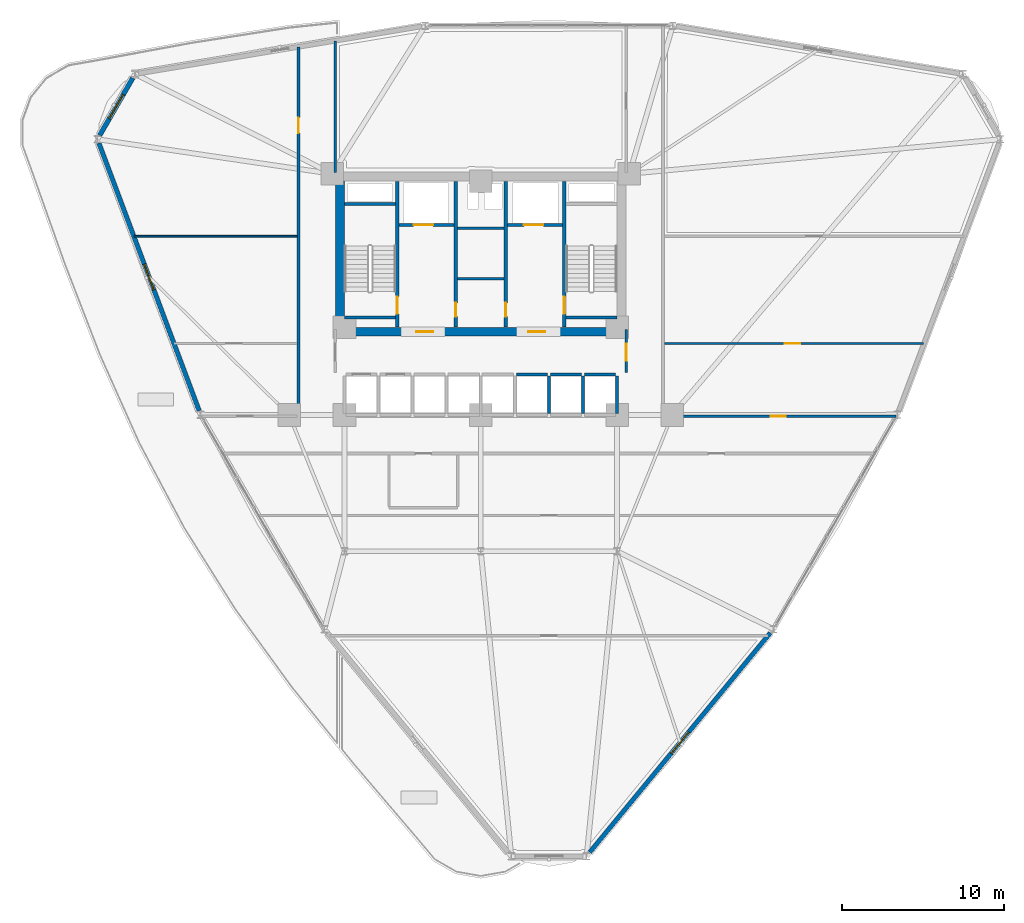
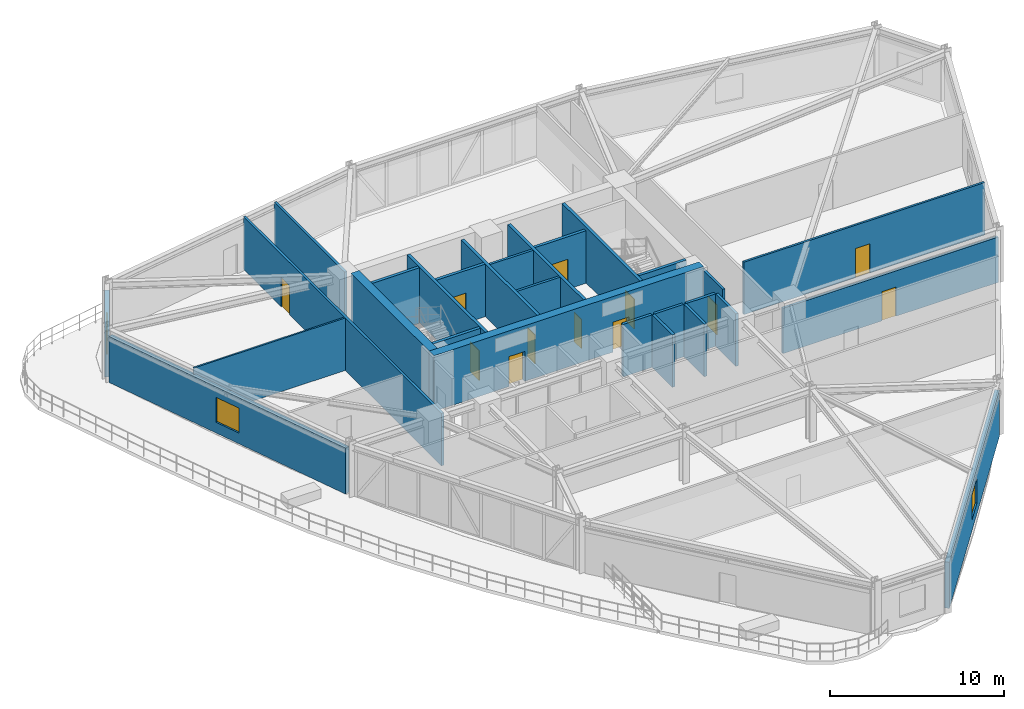
# One storey, part 15 of 21: 28 walls, 12 doors, 3 windows, 15 openings.
"""IFC4 building model written with IfcOpenShell, lengths in metres."""

from ifc_helpers import new_model, si_unit, derived_unit, direction, frame, frame_2d, origin, place, context, subcontext, project, spatial, rectangle, extrude, material, layer, layer_set, type_object, element, fill, save


model = new_model("IFC4")

# Units and contexts
model_context = context("Model", 3, precision=1e-05, world=origin(), true_north=direction((0.0, 1.0)))
body_context = subcontext(model_context, "Body", "Model", "MODEL_VIEW")
ifc_project = project(units=[si_unit("LENGTHUNIT", "METRE"), si_unit("AREAUNIT", "SQUARE_METRE"), si_unit("VOLUMEUNIT", "CUBIC_METRE"), si_unit("PLANEANGLEUNIT", "RADIAN"), si_unit("MASSUNIT", "GRAM", prefix="KILO"), derived_unit("THERMALTRANSMITTANCEUNIT", [(si_unit("POWERUNIT", "WATT"), 1), (si_unit("LENGTHUNIT", "METRE"), -2), (si_unit("THERMODYNAMICTEMPERATUREUNIT", "KELVIN"), -1)])], contexts=[model_context])

# Site, building, storey
site_placement = place(None, origin())
site = spatial("IfcSite", under=ifc_project, at=site_placement, CompositionType="ELEMENT")
building_placement = place(site_placement, origin())
building = spatial("IfcBuilding", under=site, at=building_placement, Name="Korsvarv Bourse and Concert Hall", CompositionType="ELEMENT")
storey_placement = place(building_placement, frame((0.0, 0.0, 63.89990234375)))
storey = spatial("IfcBuildingStorey", under=building, at=storey_placement, Name="L15", CompositionType="ELEMENT", Elevation=63.89990234375)

# Wall, opening, door
ifc_material_1 = material(Name="Concrete C50/60", Category="concrete")
ifc_layer_1 = layer(ifc_material_1, 0.3798828125)
ifc_layer_set_1 = layer_set([ifc_layer_1], Name="Concrete C50/60")
wall_type_1 = type_object("IfcWallType", Name="WL-CORE-380", PredefinedType="SHEAR", material=ifc_layer_set_1)
wall_1_placement = place(storey_placement, frame((30.860107421875, 37.81005859375, 0.0), z_axis=(0.0, 0.0, 1.0), x_axis=(0.0, 1.0, 0.0)))
wall_1 = element("IfcWall", 1, at=wall_1_placement, inside=storey, type_object=wall_type_1, Name="L15 stair shaft structural wall W-L15-ST1-E", PredefinedType="SHEAR", context=body_context, shape_type="SweptSolid", body=[
    extrude(rectangle(XDim=8.97998046875, YDim=0.199951171875, at=frame_2d((4.489990234375, 0.0))), origin(), (0.0, 0.0, 1.0), 3.900146484375),
])
opening_1_placement = place(wall_1_placement, frame((0.820068359375, 0.0, 0.0)))
opening_1 = element("IfcOpeningElement", 2, at=opening_1_placement, cuts=wall_1, Name="Opening D-01", PredefinedType="OPENING", context=body_context, shape_type="SweptSolid", body=[
    extrude(rectangle(XDim=1.050048828125, YDim=2.10009765625, at=frame_2d((0.52490234375, 1.050048828125))), frame((0.0, 0.10986328125, 0.0), z_axis=(0.0, -1.0, 0.0), x_axis=(1.0, 0.0, 0.0)), (0.0, 0.0, 1.0), 0.219970703125),
])
ifc_material_2 = material(Name="Steel S355 fire door", Category="steel")
door_type_1 = type_object("IfcDoorType", Name="DR-FD60", OperationType="NOTDEFINED", PredefinedType="DOOR", material=ifc_material_2)
door_1_placement = place(opening_1_placement, origin())
door_1 = element("IfcDoor", 3, at=door_1_placement, inside=storey, type_object=door_type_1, Name="L15 interior door DR-L15-ST1", OperationType="SINGLE_SWING_LEFT", OverallHeight=2.10009765625, OverallWidth=1.050048828125, PredefinedType="DOOR", context=body_context, shape_type="SweptSolid", body=[
    extrude(rectangle(XDim=1.050048828125, YDim=2.10009765625, at=frame_2d((0.52490234375, 1.050048828125))), frame((0.0, 0.02490234375, 0.0), z_axis=(0.0, -1.0, 0.0), x_axis=(1.0, 0.0, 0.0)), (0.0, 0.0, 1.0), 0.050048828125),
])
fill(opening_1, door_1)

# Walls
for number, where, z_axis, x_axis, name in (
    (4, (27.610107421875, 45.39990234375, 0.0), (0.0, 0.0, 1.0), (1.0, 0.0, 0.0), "L15 stair shaft structural wall W-L15-ST1-N"),
    (5, (27.610107421875, 38.39990234375, 0.0), (0.0, 0.0, 1.0), (1.0, 0.0, 0.0), "L15 stair shaft structural wall W-L15-ST1-S"),
):
    element("IfcWall", number, at=place(storey_placement, frame(where, z_axis=z_axis, x_axis=x_axis)), inside=storey, type_object=wall_type_1, Name=name, PredefinedType="SHEAR", context=body_context, shape_type="SweptSolid", body=[
        extrude(rectangle(XDim=3.139892578125, YDim=0.199951171875, at=frame_2d((1.56982421875, 0.0))), origin(), (0.0, 0.0, 1.0), 3.900146484375),
    ])

# Wall, opening, door
wall_2_placement = place(storey_placement, frame((41.139892578125, 37.81005859375, 0.0), z_axis=(0.0, 0.0, 1.0), x_axis=(0.0, 1.0, 0.0)))
wall_2 = element("IfcWall", 6, at=wall_2_placement, inside=storey, type_object=wall_type_1, Name="L15 stair shaft structural wall W-L15-ST2-W", PredefinedType="SHEAR", context=body_context, shape_type="SweptSolid", body=[
    extrude(rectangle(XDim=8.97998046875, YDim=0.199951171875, at=frame_2d((4.489990234375, 0.0))), origin(), (0.0, 0.0, 1.0), 3.900146484375),
])
opening_2_placement = place(wall_2_placement, frame((0.820068359375, 0.0, 0.0)))
opening_2 = element("IfcOpeningElement", 7, at=opening_2_placement, cuts=wall_2, Name="Opening D-01", PredefinedType="OPENING", context=body_context, shape_type="SweptSolid", body=[
    extrude(rectangle(XDim=1.050048828125, YDim=2.10009765625, at=frame_2d((0.52490234375, 1.050048828125))), frame((0.0, 0.10986328125, 0.0), z_axis=(0.0, -1.0, 0.0), x_axis=(1.0, 0.0, 0.0)), (0.0, 0.0, 1.0), 0.219970703125),
])
door_2_placement = place(opening_2_placement, frame((1.050048828125, 0.0, 0.0), z_axis=(0.0, 0.0, 1.0), x_axis=(-1.0, 0.0, 0.0)))
door_2 = element("IfcDoor", 8, at=door_2_placement, inside=storey, type_object=door_type_1, Name="L15 interior door DR-L15-ST2", OperationType="SINGLE_SWING_RIGHT", OverallHeight=2.10009765625, OverallWidth=1.050048828125, PredefinedType="DOOR", context=body_context, shape_type="SweptSolid", body=[
    extrude(rectangle(XDim=1.050048828125, YDim=2.10009765625, at=frame_2d((0.52490234375, 1.050048828125))), frame((0.0, 0.02490234375, 0.0), z_axis=(0.0, -1.0, 0.0), x_axis=(1.0, 0.0, 0.0)), (0.0, 0.0, 1.0), 0.050048828125),
])
fill(opening_2, door_2)

# Wall
wall_3_placement = place(storey_placement, frame((41.25, 38.39990234375, 0.0), z_axis=(0.0, 0.0, 1.0), x_axis=(1.0, 0.0, 0.0)))
element("IfcWall", 9, at=wall_3_placement, inside=storey, type_object=wall_type_1, Name="L15 stair shaft structural wall W-L15-ST2-S", PredefinedType="SHEAR", context=body_context, shape_type="SweptSolid", body=[
    extrude(rectangle(XDim=3.139892578125, YDim=0.199951171875, at=frame_2d((1.56982421875, 0.0))), origin(), (0.0, 0.0, 1.0), 3.900146484375),
])

# Wall, openings, doors
ifc_material_3 = material(Name="Concrete C60/75", Category="concrete")
ifc_layer_2 = layer(ifc_material_3, 0.550048828125)
ifc_layer_set_2 = layer_set([ifc_layer_2], Name="Concrete C60/75")
wall_type_2 = type_object("IfcWallType", Name="WL-CORE-550", PredefinedType="SHEAR", material=ifc_layer_set_2)
wall_4_placement = place(storey_placement, frame((27.050048828125, 37.52490234375, 0.0), z_axis=(0.0, 0.0, 1.0), x_axis=(1.0, 0.0, 0.0)))
wall_4 = element("IfcWall", 10, at=wall_4_placement, inside=storey, type_object=wall_type_2, Name="L15 South Core Shear Wall", PredefinedType="SHEAR", context=body_context, shape_type="SweptSolid", body=[
    extrude(rectangle(XDim=17.89990234375, YDim=0.550048828125, at=frame_2d((8.949951171875, 0.0))), origin(), (0.0, 0.0, 1.0), 3.900146484375),
])
opening_3_placement = place(wall_4_placement, frame((4.97509765625, 0.0, 0.0)))
opening_3 = element("IfcOpeningElement", 11, at=opening_3_placement, cuts=wall_4, Name="Opening D-01", PredefinedType="OPENING", context=body_context, shape_type="SweptSolid", body=[
    extrude(rectangle(XDim=1.050048828125, YDim=2.10009765625, at=frame_2d((0.52490234375, 1.050048828125))), frame((0.0, 0.28515625, 0.0), z_axis=(0.0, -1.0, 0.0), x_axis=(1.0, 0.0, 0.0)), (0.0, 0.0, 1.0), 0.570068359375),
])
opening_4_placement = place(wall_4_placement, frame((11.875, 0.0, 0.0)))
opening_4 = element("IfcOpeningElement", 12, at=opening_4_placement, cuts=wall_4, Name="Opening D-01", PredefinedType="OPENING", context=body_context, shape_type="SweptSolid", body=[
    extrude(rectangle(XDim=1.050048828125, YDim=2.10009765625, at=frame_2d((0.52490234375, 1.050048828125))), frame((0.0, 0.28515625, 0.0), z_axis=(0.0, -1.0, 0.0), x_axis=(1.0, 0.0, 0.0)), (0.0, 0.0, 1.0), 0.570068359375),
])
door_3_placement = place(opening_3_placement, frame((1.050048828125, 0.0, 0.0), z_axis=(0.0, 0.0, 1.0), x_axis=(-1.0, 0.0, 0.0)))
door_3 = element("IfcDoor", 13, at=door_3_placement, inside=storey, type_object=door_type_1, Name="L15 firefighting lobby fire door DR-L15-FFLW", OperationType="SINGLE_SWING_RIGHT", OverallHeight=2.10009765625, OverallWidth=1.050048828125, PredefinedType="DOOR", context=body_context, shape_type="SweptSolid", body=[
    extrude(rectangle(XDim=1.050048828125, YDim=2.10009765625, at=frame_2d((0.52490234375, 1.050048828125))), frame((0.0, 0.02490234375, 0.0), z_axis=(0.0, -1.0, 0.0), x_axis=(1.0, 0.0, 0.0)), (0.0, 0.0, 1.0), 0.050048828125),
])
fill(opening_3, door_3)
door_4_placement = place(opening_4_placement, frame((1.050048828125, 0.0, 0.0), z_axis=(0.0, 0.0, 1.0), x_axis=(-1.0, 0.0, 0.0)))
door_4 = element("IfcDoor", 14, at=door_4_placement, inside=storey, type_object=door_type_1, Name="L15 firefighting lobby fire door DR-L15-FFLE", OperationType="SINGLE_SWING_LEFT", OverallHeight=2.10009765625, OverallWidth=1.050048828125, PredefinedType="DOOR", context=body_context, shape_type="SweptSolid", body=[
    extrude(rectangle(XDim=1.050048828125, YDim=2.10009765625, at=frame_2d((0.52490234375, 1.050048828125))), frame((0.0, 0.02490234375, 0.0), z_axis=(0.0, -1.0, 0.0), x_axis=(1.0, 0.0, 0.0)), (0.0, 0.0, 1.0), 0.050048828125),
])
fill(opening_4, door_4)

# Wall
wall_5_placement = place(storey_placement, frame((27.324951171875, 37.800048828125, 0.0), z_axis=(0.0, 0.0, 1.0), x_axis=(0.0, 1.0, 0.0)))
element("IfcWall", 15, at=wall_5_placement, inside=storey, type_object=wall_type_2, Name="L15 West Core Shear Wall", PredefinedType="SHEAR", context=body_context, shape_type="SweptSolid", body=[
    extrude(rectangle(XDim=9.0, YDim=0.550048828125, at=frame_2d((4.5, 0.0))), origin(), (0.0, 0.0, 1.0), 3.900146484375),
])

# Wall, opening, window
ifc_material_4 = material(Name="Precast concrete C45/55 with terracotta rainscreen", Category="concrete")
ifc_layer_3 = layer(ifc_material_4, 0.300048828125)
ifc_layer_set_3 = layer_set([ifc_layer_3], Name="Precast concrete C45/55 with terracotta rainscreen")
wall_type_3 = type_object("IfcWallType", Name="WL-EXT-TC1", PredefinedType="SOLIDWALL", material=ifc_layer_set_3)
wall_6_placement = place(storey_placement, frame((14.5625, 53.15673828125, 0.0), z_axis=(0.0, 0.0, 1.0), x_axis=(-0.499969426694, -0.866043054571, 0.0)))
wall_6 = element("IfcWall", 16, at=wall_6_placement, inside=storey, type_object=wall_type_3, Name="L15 terracotta exterior wall EW-L15-B05", PredefinedType="SOLIDWALL", context=body_context, shape_type="SweptSolid", body=[
    extrude(rectangle(XDim=4.078857421875, YDim=0.300048828125, at=frame_2d((2.03955078125, 0.0))), origin(), (0.0, 0.0, 1.0), 3.22998046875),
])
opening_5_placement = place(wall_6_placement, frame((1.189453125, 0.0, 0.75)))
opening_5 = element("IfcOpeningElement", 17, at=opening_5_placement, cuts=wall_6, Name="Opening W-01", PredefinedType="OPENING", context=body_context, shape_type="SweptSolid", body=[
    extrude(rectangle(XDim=1.699951171875, YDim=1.75, at=frame_2d((0.85009765625, 0.875))), frame((0.0, 0.16015625, 0.0), z_axis=(0.0, -1.0, 0.0), x_axis=(1.0, 0.0, 0.0)), (0.0, 0.0, 1.0), 0.320068359375),
])
ifc_material_5 = material(Name="Thermally broken aluminium frame with triple low-E glass", Category="glass")
window_type = type_object("IfcWindowType", Name="WIN-TW1", PartitioningType="SINGLE_PANEL", PredefinedType="WINDOW", material=ifc_material_5)
window_1_placement = place(opening_5_placement, origin())
window_1 = element("IfcWindow", 18, at=window_1_placement, inside=storey, type_object=window_type, Name="L15 punched facade window W-01", OverallHeight=1.75, OverallWidth=1.699951171875, PartitioningType="SINGLE_PANEL", PredefinedType="WINDOW", context=body_context, shape_type="SweptSolid", body=[
    extrude(rectangle(XDim=1.699951171875, YDim=1.75, at=frame_2d((0.85009765625, 0.875))), frame((0.0, 0.030029296875, 0.0), z_axis=(0.0, -1.0, 0.0), x_axis=(1.0, 0.0, 0.0)), (0.0, 0.0, 1.0), 0.06005859375),
])
fill(opening_5, window_1)

ifc_material_6 = material(Name="Precast concrete C45/55 with fluted terracotta pier", Category="concrete")
ifc_layer_4 = layer(ifc_material_6, 0.280029296875)
ifc_layer_set_4 = layer_set([ifc_layer_4], Name="Precast concrete C45/55 with fluted terracotta pier")
wall_type_4 = type_object("IfcWallType", Name="WL-EXT-TC2", PredefinedType="SOLIDWALL", material=ifc_layer_set_4)
wall_7_placement = place(storey_placement, frame((12.47412109375, 49.14013671875, 0.0), z_axis=(0.0, 0.0, 1.0), x_axis=(0.350845241249, -0.93643345556, 0.0)))
wall_7 = element("IfcWall", 19, at=wall_7_placement, inside=storey, type_object=wall_type_4, Name="L15 terracotta exterior wall EW-L15-B06", PredefinedType="SOLIDWALL", context=body_context, shape_type="SweptSolid", body=[
    extrude(rectangle(XDim=17.6005859375, YDim=0.280029296875, at=frame_2d((8.80029296875, 0.0))), origin(), (0.0, 0.0, 1.0), 3.22998046875),
])
opening_6_placement = place(wall_7_placement, frame((7.9501953125, 0.0, 0.75)))
opening_6 = element("IfcOpeningElement", 20, at=opening_6_placement, cuts=wall_7, Name="Opening W-01", PredefinedType="OPENING", context=body_context, shape_type="SweptSolid", body=[
    extrude(rectangle(XDim=1.699951171875, YDim=1.75, at=frame_2d((0.85009765625, 0.875))), frame((0.0, 0.14990234375, 0.0), z_axis=(0.0, -1.0, 0.0), x_axis=(1.0, 0.0, 0.0)), (0.0, 0.0, 1.0), 0.300048828125),
])
window_2_placement = place(opening_6_placement, origin())
window_2 = element("IfcWindow", 21, at=window_2_placement, inside=storey, type_object=window_type, Name="L15 punched facade window W-01", OverallHeight=1.75, OverallWidth=1.699951171875, PartitioningType="SINGLE_PANEL", PredefinedType="WINDOW", context=body_context, shape_type="SweptSolid", body=[
    extrude(rectangle(XDim=1.699951171875, YDim=1.75, at=frame_2d((0.85009765625, 0.875))), frame((0.0, 0.030029296875, 0.0), z_axis=(0.0, -1.0, 0.0), x_axis=(1.0, 0.0, 0.0)), (0.0, 0.0, 1.0), 0.06005859375),
])
fill(opening_6, window_2)

wall_8_placement = place(storey_placement, frame((42.71826171875, 5.4609375, 0.0), z_axis=(0.0, 0.0, 1.0), x_axis=(0.635547248194, 0.772061976342, 0.0)))
wall_8 = element("IfcWall", 22, at=wall_8_placement, inside=storey, type_object=wall_type_4, Name="L15 terracotta exterior wall EW-L15-B10", PredefinedType="SOLIDWALL", context=body_context, shape_type="SweptSolid", body=[
    extrude(rectangle(XDim=17.490478515625, YDim=0.280029296875, at=frame_2d((8.7451171875, 0.0))), origin(), (0.0, 0.0, 1.0), 3.22998046875),
])
opening_7_placement = place(wall_8_placement, frame((7.895263671875, 0.0, 0.75)))
opening_7 = element("IfcOpeningElement", 23, at=opening_7_placement, cuts=wall_8, Name="Opening W-01", PredefinedType="OPENING", context=body_context, shape_type="SweptSolid", body=[
    extrude(rectangle(XDim=1.699951171875, YDim=1.75, at=frame_2d((0.85009765625, 0.875))), frame((0.0, 0.14990234375, 0.0), z_axis=(0.0, -1.0, 0.0), x_axis=(1.0, 0.0, 0.0)), (0.0, 0.0, 1.0), 0.300048828125),
])
window_3_placement = place(opening_7_placement, origin())
window_3 = element("IfcWindow", 24, at=window_3_placement, inside=storey, type_object=window_type, Name="L15 punched facade window W-01", OverallHeight=1.75, OverallWidth=1.699951171875, PartitioningType="SINGLE_PANEL", PredefinedType="WINDOW", context=body_context, shape_type="SweptSolid", body=[
    extrude(rectangle(XDim=1.699951171875, YDim=1.75, at=frame_2d((0.85009765625, 0.875))), frame((0.0, 0.030029296875, 0.0), z_axis=(0.0, -1.0, 0.0), x_axis=(1.0, 0.0, 0.0)), (0.0, 0.0, 1.0), 0.06005859375),
])
fill(opening_7, window_3)

# Wall, opening, door
ifc_material_7 = material(Name="Reinforced concrete blockwork C35/45 fire wall", Category="concrete")
ifc_layer_5 = layer(ifc_material_7, 0.199951171875)
ifc_layer_set_5 = layer_set([ifc_layer_5], Name="Reinforced concrete blockwork C35/45 fire wall")
wall_type_5 = type_object("IfcWallType", Name="WL-INT-EI120", PredefinedType="PARTITIONING", material=ifc_layer_set_5)
wall_9_placement = place(storey_placement, frame((30.969970703125, 44.10009765625, 0.0), z_axis=(0.0, 0.0, 1.0), x_axis=(1.0, 0.0, 0.0)))
wall_9 = element("IfcWall", 25, at=wall_9_placement, inside=storey, type_object=wall_type_5, Name="L15 interior partition wall W-L15-FF1-S", PredefinedType="PARTITIONING", context=body_context, shape_type="SweptSolid", body=[
    extrude(rectangle(XDim=3.380126953125, YDim=0.199951171875, at=frame_2d((1.68994140625, 0.0))), origin(), (0.0, 0.0, 1.0), 3.68017578125),
])
opening_8_placement = place(wall_9_placement, frame((0.89990234375, 0.0, 0.0)))
opening_8 = element("IfcOpeningElement", 26, at=opening_8_placement, cuts=wall_9, Name="Opening LD-1", PredefinedType="OPENING", context=body_context, shape_type="SweptSolid", body=[
    extrude(rectangle(XDim=1.199951171875, YDim=2.10009765625, at=frame_2d((0.60009765625, 1.050048828125))), frame((0.0, 0.10986328125, 0.0), z_axis=(0.0, -1.0, 0.0), x_axis=(1.0, 0.0, 0.0)), (0.0, 0.0, 1.0), 0.219970703125),
])
ifc_material_8 = material(Name="Stainless Steel S355 firefighting lift landing door", Category="steel")
door_type_2 = type_object("IfcDoorType", Name="DR-LIFT-FF", OperationType="DOUBLE_DOOR_SLIDING", PredefinedType="DOOR", material=ifc_material_8)
door_5_placement = place(opening_8_placement, origin())
door_5 = element("IfcDoor", 27, at=door_5_placement, inside=storey, type_object=door_type_2, Name="L15 lift sliding landing door LD-L15-FF1", OperationType="DOUBLE_DOOR_SLIDING", OverallHeight=2.10009765625, OverallWidth=1.199951171875, PredefinedType="DOOR", context=body_context, shape_type="SweptSolid", body=[
    extrude(rectangle(XDim=1.199951171875, YDim=2.10009765625, at=frame_2d((0.60009765625, 1.050048828125))), frame((0.0, 0.02490234375, 0.0), z_axis=(0.0, -1.0, 0.0), x_axis=(1.0, 0.0, 0.0)), (0.0, 0.0, 1.0), 0.050048828125),
])
fill(opening_8, door_5)

wall_10_placement = place(storey_placement, frame((37.64990234375, 44.10009765625, 0.0), z_axis=(0.0, 0.0, 1.0), x_axis=(1.0, 0.0, 0.0)))
wall_10 = element("IfcWall", 28, at=wall_10_placement, inside=storey, type_object=wall_type_5, Name="L15 interior partition wall W-L15-FF2-S", PredefinedType="PARTITIONING", context=body_context, shape_type="SweptSolid", body=[
    extrude(rectangle(XDim=3.380126953125, YDim=0.199951171875, at=frame_2d((1.68994140625, 0.0))), origin(), (0.0, 0.0, 1.0), 3.68017578125),
])
opening_9_placement = place(wall_10_placement, frame((1.0, 0.0, 0.0)))
opening_9 = element("IfcOpeningElement", 29, at=opening_9_placement, cuts=wall_10, Name="Opening LD-1", PredefinedType="OPENING", context=body_context, shape_type="SweptSolid", body=[
    extrude(rectangle(XDim=1.199951171875, YDim=2.10009765625, at=frame_2d((0.60009765625, 1.050048828125))), frame((0.0, 0.10986328125, 0.0), z_axis=(0.0, -1.0, 0.0), x_axis=(1.0, 0.0, 0.0)), (0.0, 0.0, 1.0), 0.219970703125),
])
door_6_placement = place(opening_9_placement, origin())
door_6 = element("IfcDoor", 30, at=door_6_placement, inside=storey, type_object=door_type_2, Name="L15 lift sliding landing door LD-L15-FF2", OperationType="DOUBLE_DOOR_SLIDING", OverallHeight=2.10009765625, OverallWidth=1.199951171875, PredefinedType="DOOR", context=body_context, shape_type="SweptSolid", body=[
    extrude(rectangle(XDim=1.199951171875, YDim=2.10009765625, at=frame_2d((0.60009765625, 1.050048828125))), frame((0.0, 0.02490234375, 0.0), z_axis=(0.0, -1.0, 0.0), x_axis=(1.0, 0.0, 0.0)), (0.0, 0.0, 1.0), 0.050048828125),
])
fill(opening_9, door_6)

wall_11_placement = place(storey_placement, frame((34.4599609375, 37.81005859375, 0.0), z_axis=(0.0, 0.0, 1.0), x_axis=(0.0, 1.0, 0.0)))
wall_11 = element("IfcWall", 31, at=wall_11_placement, inside=storey, type_object=wall_type_5, Name="L15 interior partition wall W-L15-CSB-W", PredefinedType="PARTITIONING", context=body_context, shape_type="SweptSolid", body=[
    extrude(rectangle(XDim=8.97998046875, YDim=0.199951171875, at=frame_2d((4.489990234375, 0.0))), origin(), (0.0, 0.0, 1.0), 3.68017578125),
])
opening_10_placement = place(wall_11_placement, frame((0.64990234375, 0.0, 0.0)))
opening_10 = element("IfcOpeningElement", 32, at=opening_10_placement, cuts=wall_11, Name="Opening D-05", PredefinedType="OPENING", context=body_context, shape_type="SweptSolid", body=[
    extrude(rectangle(XDim=0.85009765625, YDim=2.050048828125, at=frame_2d((0.425048828125, 1.02490234375))), frame((0.0, 0.10986328125, 0.0), z_axis=(0.0, -1.0, 0.0), x_axis=(1.0, 0.0, 0.0)), (0.0, 0.0, 1.0), 0.219970703125),
])
door_type_3 = type_object("IfcDoorType", Name="DR-FD60-850X2050", OperationType="NOTDEFINED", PredefinedType="DOOR", material=ifc_material_2)
door_7_placement = place(opening_10_placement, frame((0.85009765625, 0.0, 0.0), z_axis=(0.0, 0.0, 1.0), x_axis=(-1.0, 0.0, 0.0)))
door_7 = element("IfcDoor", 33, at=door_7_placement, inside=storey, type_object=door_type_3, Name="L15 interior door DR-L15-CSB1", OperationType="SINGLE_SWING_LEFT", OverallHeight=2.050048828125, OverallWidth=0.85009765625, PredefinedType="DOOR", context=body_context, shape_type="SweptSolid", body=[
    extrude(rectangle(XDim=0.85009765625, YDim=2.050048828125, at=frame_2d((0.425048828125, 1.02490234375))), frame((0.0, 0.02490234375, 0.0), z_axis=(0.0, -1.0, 0.0), x_axis=(1.0, 0.0, 0.0)), (0.0, 0.0, 1.0), 0.050048828125),
])
fill(opening_10, door_7)

wall_12_placement = place(storey_placement, frame((37.5400390625, 37.81005859375, 0.0), z_axis=(0.0, 0.0, 1.0), x_axis=(0.0, 1.0, 0.0)))
wall_12 = element("IfcWall", 34, at=wall_12_placement, inside=storey, type_object=wall_type_5, Name="L15 interior partition wall W-L15-CSB-E", PredefinedType="PARTITIONING", context=body_context, shape_type="SweptSolid", body=[
    extrude(rectangle(XDim=8.97998046875, YDim=0.199951171875, at=frame_2d((4.489990234375, 0.0))), origin(), (0.0, 0.0, 1.0), 3.68017578125),
])
opening_11_placement = place(wall_12_placement, frame((0.64990234375, 0.0, 0.0)))
opening_11 = element("IfcOpeningElement", 35, at=opening_11_placement, cuts=wall_12, Name="Opening D-05", PredefinedType="OPENING", context=body_context, shape_type="SweptSolid", body=[
    extrude(rectangle(XDim=0.85009765625, YDim=2.050048828125, at=frame_2d((0.425048828125, 1.02490234375))), frame((0.0, 0.10986328125, 0.0), z_axis=(0.0, -1.0, 0.0), x_axis=(1.0, 0.0, 0.0)), (0.0, 0.0, 1.0), 0.219970703125),
])
door_8_placement = place(opening_11_placement, origin())
door_8 = element("IfcDoor", 36, at=door_8_placement, inside=storey, type_object=door_type_3, Name="L15 interior door DR-L15-CSB2", OperationType="SINGLE_SWING_RIGHT", OverallHeight=2.050048828125, OverallWidth=0.85009765625, PredefinedType="DOOR", context=body_context, shape_type="SweptSolid", body=[
    extrude(rectangle(XDim=0.85009765625, YDim=2.050048828125, at=frame_2d((0.425048828125, 1.02490234375))), frame((0.0, 0.02490234375, 0.0), z_axis=(0.0, -1.0, 0.0), x_axis=(1.0, 0.0, 0.0)), (0.0, 0.0, 1.0), 0.050048828125),
])
fill(opening_11, door_8)

# Walls
ifc_material_9 = material(Name="Double-stud fire-rated acoustic partition", Category="gypsum")
ifc_layer_6 = layer(ifc_material_9, 0.159912109375)
ifc_layer_set_6 = layer_set([ifc_layer_6], Name="Double-stud fire-rated acoustic partition")
wall_type_6 = type_object("IfcWallType", Name="WL-INT-EI60", PredefinedType="PARTITIONING", material=ifc_layer_set_6)
for number, where, z_axis, x_axis, name in (
    (37, (34.570068359375, 40.800048828125, 0.0), (0.0, 0.0, 1.0), (1.0, 0.0, 0.0), "L15 interior partition wall W-L15-K1"),
    (38, (34.570068359375, 43.89990234375, 0.0), (0.0, 0.0, 1.0), (1.0, 0.0, 0.0), "L15 interior partition wall W-L15-K2"),
):
    element("IfcWall", number, at=place(storey_placement, frame(where, z_axis=z_axis, x_axis=x_axis)), inside=storey, type_object=wall_type_6, Name=name, PredefinedType="PARTITIONING", context=body_context, shape_type="SweptSolid", body=[
        extrude(rectangle(XDim=2.85986328125, YDim=0.159912109375, at=frame_2d((1.429931640625, 0.0))), origin(), (0.0, 0.0, 1.0), 3.68017578125),
    ])

# Wall, opening, door
wall_13_placement = place(storey_placement, frame((44.9599609375, 35.0, 0.0), z_axis=(0.0, 0.0, 1.0), x_axis=(0.0, 1.0, 0.0)))
wall_13 = element("IfcWall", 39, at=wall_13_placement, inside=storey, type_object=wall_type_6, Name="L15 interior partition wall W-L15-LOB-E", PredefinedType="PARTITIONING", context=body_context, shape_type="SweptSolid", body=[
    extrude(rectangle(XDim=2.64990234375, YDim=0.159912109375, at=frame_2d((1.324951171875, 0.0))), origin(), (0.0, 0.0, 1.0), 3.68017578125),
])
opening_12_placement = place(wall_13_placement, frame((0.75, 0.0, 0.0)))
opening_12 = element("IfcOpeningElement", 40, at=opening_12_placement, cuts=wall_13, Name="Opening D-01", PredefinedType="OPENING", context=body_context, shape_type="SweptSolid", body=[
    extrude(rectangle(XDim=1.050048828125, YDim=2.10009765625, at=frame_2d((0.52490234375, 1.050048828125))), frame((0.0, 0.08984375, 0.0), z_axis=(0.0, -1.0, 0.0), x_axis=(1.0, 0.0, 0.0)), (0.0, 0.0, 1.0), 0.179931640625),
])
door_9_placement = place(opening_12_placement, origin())
door_9 = element("IfcDoor", 41, at=door_9_placement, inside=storey, type_object=door_type_1, Name="L15 interior door DR-L15-LOBE", OperationType="SINGLE_SWING_RIGHT", OverallHeight=2.10009765625, OverallWidth=1.050048828125, PredefinedType="DOOR", context=body_context, shape_type="SweptSolid", body=[
    extrude(rectangle(XDim=1.050048828125, YDim=2.10009765625, at=frame_2d((0.52490234375, 1.050048828125))), frame((0.0, 0.02490234375, 0.0), z_axis=(0.0, -1.0, 0.0), x_axis=(1.0, 0.0, 0.0)), (0.0, 0.0, 1.0), 0.050048828125),
])
fill(opening_12, door_9)

wall_14_placement = place(storey_placement, frame((24.77490234375, 32.31005859375, 0.0), z_axis=(0.0, 0.0, 1.0), x_axis=(0.0, 1.0, 0.0)))
wall_14 = element("IfcWall", 42, at=wall_14_placement, inside=storey, type_object=wall_type_6, Name="L15 interior partition wall W-L15-TCOR-03", PredefinedType="PARTITIONING", context=body_context, shape_type="SweptSolid", body=[
    extrude(rectangle(XDim=22.747314453125, YDim=0.159912109375, at=frame_2d((11.37353515625, 0.0))), origin(), (0.0, 0.0, 1.0), 3.68017578125),
])
opening_13_placement = place(wall_14_placement, frame((17.44873046875, 0.0, 0.0)))
opening_13 = element("IfcOpeningElement", 43, at=opening_13_placement, cuts=wall_14, Name="Opening D-02", PredefinedType="OPENING", context=body_context, shape_type="SweptSolid", body=[
    extrude(rectangle(XDim=0.949951171875, YDim=2.050048828125, at=frame_2d((0.47509765625, 1.02490234375))), frame((0.0, 0.08984375, 0.0), z_axis=(0.0, -1.0, 0.0), x_axis=(1.0, 0.0, 0.0)), (0.0, 0.0, 1.0), 0.179931640625),
])
ifc_material_10 = material(Name="Timber and steel acoustic fire door", Category="wood")
door_type_4 = type_object("IfcDoorType", Name="DR-FD30", OperationType="NOTDEFINED", PredefinedType="DOOR", material=ifc_material_10)
door_10_placement = place(opening_13_placement, origin())
door_10 = element("IfcDoor", 44, at=door_10_placement, inside=storey, type_object=door_type_4, Name="L15 interior door DR-L15-TCOR-QT610", OperationType="SINGLE_SWING_LEFT", OverallHeight=2.050048828125, OverallWidth=0.949951171875, PredefinedType="DOOR", context=body_context, shape_type="SweptSolid", body=[
    extrude(rectangle(XDim=0.949951171875, YDim=2.050048828125, at=frame_2d((0.47509765625, 1.02490234375))), frame((0.0, 0.02490234375, 0.0), z_axis=(0.0, -1.0, 0.0), x_axis=(1.0, 0.0, 0.0)), (0.0, 0.0, 1.0), 0.050048828125),
])
fill(opening_13, door_10)

wall_15_placement = place(storey_placement, frame((47.306884765625, 32.31494140625, 0.0), z_axis=(0.0, 0.0, 1.0), x_axis=(1.0, 0.0, 0.0)))
wall_15 = element("IfcWall", 45, at=wall_15_placement, inside=storey, type_object=wall_type_6, Name="L15 interior partition wall W-L15-TCOR-04", PredefinedType="PARTITIONING", context=body_context, shape_type="SweptSolid", body=[
    extrude(rectangle(XDim=14.274658203125, YDim=0.159912109375, at=frame_2d((7.13720703125, 0.0))), origin(), (0.0, 0.0, 1.0), 3.18017578125),
])
opening_14_placement = place(wall_15_placement, frame((6.541015625, 0.0, 0.0)))
opening_14 = element("IfcOpeningElement", 46, at=opening_14_placement, cuts=wall_15, Name="Opening D-02", PredefinedType="OPENING", context=body_context, shape_type="SweptSolid", body=[
    extrude(rectangle(XDim=0.949951171875, YDim=2.050048828125, at=frame_2d((0.47509765625, 1.02490234375))), frame((0.0, 0.08984375, 0.0), z_axis=(0.0, -1.0, 0.0), x_axis=(1.0, 0.0, 0.0)), (0.0, 0.0, 1.0), 0.179931640625),
])
door_11_placement = place(opening_14_placement, origin())
door_11 = element("IfcDoor", 47, at=door_11_placement, inside=storey, type_object=door_type_4, Name="L15 interior door DR-L15-TCOR-QT71", OperationType="SINGLE_SWING_RIGHT", OverallHeight=2.050048828125, OverallWidth=0.949951171875, PredefinedType="DOOR", context=body_context, shape_type="SweptSolid", body=[
    extrude(rectangle(XDim=0.949951171875, YDim=2.050048828125, at=frame_2d((0.47509765625, 1.02490234375))), frame((0.0, 0.02490234375, 0.0), z_axis=(0.0, -1.0, 0.0), x_axis=(1.0, 0.0, 0.0)), (0.0, 0.0, 1.0), 0.050048828125),
])
fill(opening_14, door_11)

# Walls
wall_16_placement = place(storey_placement, frame((27.034912109375, 47.340087890625, 0.0), z_axis=(0.0, 0.0, 1.0), x_axis=(0.0, 1.0, 0.0)))
element("IfcWall", 48, at=wall_16_placement, inside=storey, type_object=wall_type_6, Name="L15 interior partition wall W-L15-TCOR-06", PredefinedType="PARTITIONING", context=body_context, shape_type="SweptSolid", body=[
    extrude(rectangle(XDim=8.09375, YDim=0.159912109375, at=frame_2d((4.046875, 0.0))), origin(), (0.0, 0.0, 1.0), 3.68017578125),
])
ifc_material_11 = material(Name="Gypsum-clad autoclaved concrete shaft wall C30/37", Category="concrete")
ifc_layer_7 = layer(ifc_material_11, 0.179931640625)
ifc_layer_set_7 = layer_set([ifc_layer_7], Name="Gypsum-clad autoclaved concrete shaft wall C30/37")
wall_type_7 = type_object("IfcWallType", Name="WL-INT-EI90", PredefinedType="PARTITIONING", material=ifc_layer_set_7)
wall_17_placement = place(storey_placement, frame((38.18994140625, 34.89990234375, 0.0), z_axis=(0.0, 0.0, 1.0), x_axis=(1.0, 0.0, 0.0)))
element("IfcWall", 49, at=wall_17_placement, inside=storey, type_object=wall_type_7, Name="L15 interior partition wall W-L15-SHFN-PH2", PredefinedType="PARTITIONING", context=body_context, shape_type="SweptSolid", body=[
    extrude(rectangle(XDim=1.920166015625, YDim=0.179931640625, at=frame_2d((0.9599609375, 0.0))), origin(), (0.0, 0.0, 1.0), 3.68017578125),
])
wall_18_placement = place(storey_placement, frame((40.2900390625, 34.89990234375, 0.0), z_axis=(0.0, 0.0, 1.0), x_axis=(1.0, 0.0, 0.0)))
element("IfcWall", 50, at=wall_18_placement, inside=storey, type_object=wall_type_7, Name="L15 interior partition wall W-L15-SHFN-PO1", PredefinedType="PARTITIONING", context=body_context, shape_type="SweptSolid", body=[
    extrude(rectangle(XDim=1.919921875, YDim=0.179931640625, at=frame_2d((0.9599609375, 0.0))), origin(), (0.0, 0.0, 1.0), 3.68017578125),
])
wall_19_placement = place(storey_placement, frame((40.199951171875, 32.489990234375, 0.0), z_axis=(0.0, 0.0, 1.0), x_axis=(0.0, 1.0, 0.0)))
element("IfcWall", 51, at=wall_19_placement, inside=storey, type_object=wall_type_7, Name="L15 interior partition wall W-L15-SHFW-PO1", PredefinedType="PARTITIONING", context=body_context, shape_type="SweptSolid", body=[
    extrude(rectangle(XDim=2.320068359375, YDim=0.179931640625, at=frame_2d((1.16015625, 0.0))), origin(), (0.0, 0.0, 1.0), 3.68017578125),
])
wall_20_placement = place(storey_placement, frame((42.389892578125, 34.89990234375, 0.0), z_axis=(0.0, 0.0, 1.0), x_axis=(1.0, 0.0, 0.0)))
element("IfcWall", 52, at=wall_20_placement, inside=storey, type_object=wall_type_7, Name="L15 interior partition wall W-L15-SHFN-PO2", PredefinedType="PARTITIONING", context=body_context, shape_type="SweptSolid", body=[
    extrude(rectangle(XDim=1.920166015625, YDim=0.179931640625, at=frame_2d((0.9599609375, 0.0))), origin(), (0.0, 0.0, 1.0), 3.68017578125),
])
for number, where, z_axis, x_axis, name in (
    (53, (42.300048828125, 32.489990234375, 0.0), (0.0, 0.0, 1.0), (0.0, 1.0, 0.0), "L15 interior partition wall W-L15-SHFW-PO2"),
    (54, (44.39990234375, 32.489990234375, 0.0), (0.0, 0.0, 1.0), (0.0, 1.0, 0.0), "L15 interior partition wall W-L15-SHFE-END"),
):
    element("IfcWall", number, at=place(storey_placement, frame(where, z_axis=z_axis, x_axis=x_axis)), inside=storey, type_object=wall_type_7, Name=name, PredefinedType="PARTITIONING", context=body_context, shape_type="SweptSolid", body=[
        extrude(rectangle(XDim=2.320068359375, YDim=0.179931640625, at=frame_2d((1.16015625, 0.0))), origin(), (0.0, 0.0, 1.0), 3.68017578125),
    ])
ifc_material_12 = material(Name="Demountable acoustic glass and aluminium dealing partition", Category="aluminium")
ifc_layer_8 = layer(ifc_material_12, 0.110107421875)
ifc_layer_set_8 = layer_set([ifc_layer_8], Name="Demountable acoustic glass and aluminium dealing partition")
wall_type_8 = type_object("IfcWallType", Name="WL-INT-MOV", PredefinedType="MOVABLE", material=ifc_layer_set_8)
wall_21_placement = place(storey_placement, frame((14.642822265625, 43.405029296875, 0.0), z_axis=(0.0, 0.0, 1.0), x_axis=(1.0, 0.0, 0.0)))
element("IfcWall", 55, at=wall_21_placement, inside=storey, type_object=wall_type_8, Name="L15 interior partition wall W-L15-TCOR-12", PredefinedType="MOVABLE", context=body_context, shape_type="SweptSolid", body=[
    extrude(rectangle(XDim=10.05029296875, YDim=0.110107421875, at=frame_2d((5.025146484375, 0.0))), origin(), (0.0, 0.0, 1.0), 3.68017578125),
])

# Wall, opening, door
ifc_material_13 = material(Name="Insulated steel-stud office acoustic partition", Category="gypsum")
ifc_layer_9 = layer(ifc_material_13, 0.139892578125)
ifc_layer_set_9 = layer_set([ifc_layer_9], Name="Insulated steel-stud office acoustic partition")
wall_type_9 = type_object("IfcWallType", Name="WL-INT-P1", PredefinedType="PARTITIONING", material=ifc_layer_set_9)
wall_22_placement = place(storey_placement, frame((47.306884765625, 36.804931640625, 0.0), z_axis=(0.0, 0.0, 1.0), x_axis=(1.0, 0.0, 0.0)))
wall_22 = element("IfcWall", 56, at=wall_22_placement, inside=storey, type_object=wall_type_9, Name="L15 interior partition wall W-L15-TCOR-11", PredefinedType="PARTITIONING", context=body_context, shape_type="SweptSolid", body=[
    extrude(rectangle(XDim=15.9775390625, YDim=0.139892578125, at=frame_2d((7.98876953125, 0.0))), origin(), (0.0, 0.0, 1.0), 3.68017578125),
])
opening_15_placement = place(wall_22_placement, frame((7.40625, 0.0, 0.0)))
opening_15 = element("IfcOpeningElement", 57, at=opening_15_placement, cuts=wall_22, Name="Opening D-03", PredefinedType="OPENING", context=body_context, shape_type="SweptSolid", body=[
    extrude(rectangle(XDim=0.949951171875, YDim=2.050048828125, at=frame_2d((0.47509765625, 1.02490234375))), frame((0.0, 0.080078125, 0.0), z_axis=(0.0, -1.0, 0.0), x_axis=(1.0, 0.0, 0.0)), (0.0, 0.0, 1.0), 0.159912109375),
])
ifc_material_14 = material(Name="Nordic oak acoustic office door", Category="wood")
door_type_5 = type_object("IfcDoorType", Name="DR-INT-1", OperationType="NOTDEFINED", PredefinedType="DOOR", material=ifc_material_14)
door_12_placement = place(opening_15_placement, origin())
door_12 = element("IfcDoor", 58, at=door_12_placement, inside=storey, type_object=door_type_5, Name="L15 interior door DR-L15-TCOR-QT82", OperationType="SINGLE_SWING_RIGHT", OverallHeight=2.050048828125, OverallWidth=0.949951171875, PredefinedType="DOOR", context=body_context, shape_type="SweptSolid", body=[
    extrude(rectangle(XDim=0.949951171875, YDim=2.050048828125, at=frame_2d((0.47509765625, 1.02490234375))), frame((0.0, 0.02490234375, 0.0), z_axis=(0.0, -1.0, 0.0), x_axis=(1.0, 0.0, 0.0)), (0.0, 0.0, 1.0), 0.050048828125),
])
fill(opening_15, door_12)

save(model, "model.ifc")
